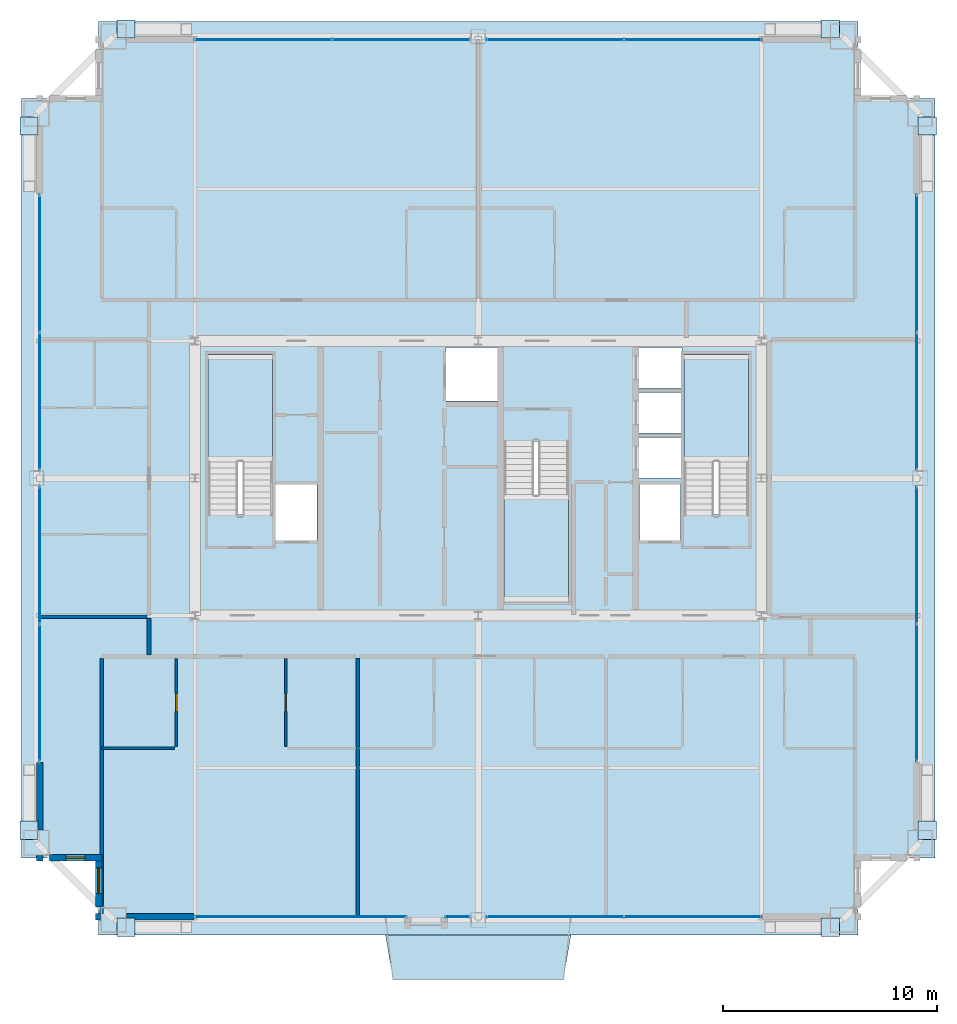
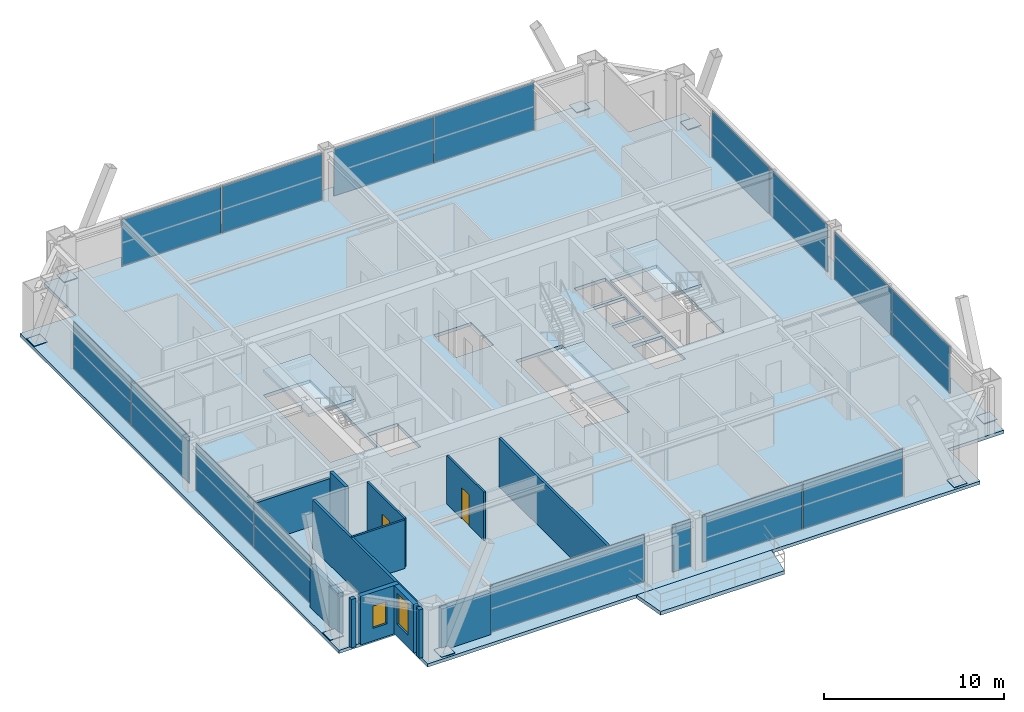
# One storey, part 30 of 35: 24 plates, 13 walls, 5 slabs, 2 doors, 2 windows, 4 openings, 12 elements without a shape of their own.
"""IFC4 building model written with IfcOpenShell, lengths in metres."""

from ifc_helpers import new_model, si_unit, direction, frame, frame_2d, origin, origin_2d, place, context, subcontext, project, spatial, polyline, rectangle, outline, extrude, source, transform, mapped, material, layer, layer_set, type_object, element, fill, aggregate, save


model = new_model("IFC4")

# Units and contexts
model_context = context("Model", 3, precision=1e-05, world=origin(), true_north=direction((0.0, 1.0)))
body_context = subcontext(model_context, "Body", "Model", "MODEL_VIEW")
ifc_project = project(units=[si_unit("LENGTHUNIT", "METRE"), si_unit("AREAUNIT", "SQUARE_METRE"), si_unit("VOLUMEUNIT", "CUBIC_METRE"), si_unit("PLANEANGLEUNIT", "RADIAN"), si_unit("MASSUNIT", "GRAM", prefix="KILO"), si_unit("THERMODYNAMICTEMPERATUREUNIT", "KELVIN"), si_unit("POWERUNIT", "WATT")], contexts=[model_context])

# Site, building, storey
site_placement = place(None, origin())
site = spatial("IfcSite", under=ifc_project, at=site_placement, CompositionType="ELEMENT")
building_placement = place(site_placement, origin())
building = spatial("IfcBuilding", under=site, at=building_placement, Name="Yuzanri Waterfront Tower", CompositionType="ELEMENT")
storey_placement = place(building_placement, frame((0.0, 0.0, 271.60009765625)))
storey = spatial("IfcBuildingStorey", under=building, at=storey_placement, Name="L72", CompositionType="ELEMENT", Elevation=271.60009765625)

# Stair, slab
ifc_material_1 = material(Name="Concrete C40", Category="concrete")
stair_type = type_object("IfcStairType", Name="Concrete C40 Core Dogleg Exit Stair", PredefinedType="HALF_TURN_STAIR", material=ifc_material_1)
stair_1_placement = place(storey_placement, origin())
stair_1 = element("IfcStair", 1, at=stair_1_placement, inside=storey, type_object=stair_type, Name="L72 Smoke-Proof Core Stair ST-01", PredefinedType="HALF_TURN_STAIR")
ifc_material_2 = material(Name="Concrete C40", Category="concrete")
ifc_layer_1 = layer(ifc_material_2, 0.179931640625)
ifc_layer_set_1 = layer_set([ifc_layer_1], Name="Concrete C40")
slab_type_1 = type_object("IfcSlabType", Name="Concrete C40 Stair Half-Landing Slab 180", PredefinedType="LANDING", material=ifc_layer_set_1)
slab_1_placement = place(storey_placement, frame((0.0, 0.0, 1.5498046875)))
slab_1 = element("IfcSlab", 2, at=slab_1_placement, type_object=slab_type_1, Name="ST-01 landing 1", PredefinedType="LANDING", context=body_context, shape_type="SweptSolid", body=[
    extrude(outline(polyline([(27.39990234375, 26.56005859375), (27.39990234375, 31.580078125), (24.39990234375, 31.580078125), (24.39990234375, 26.56005859375), (27.39990234375, 26.56005859375)])), origin(), (0.0, 0.0, 1.0), 0.2001953125),
])
aggregate(stair_1, [slab_1])

stair_2_placement = place(storey_placement, origin())
stair_2 = element("IfcStair", 3, at=stair_2_placement, inside=storey, type_object=stair_type, Name="L72 Smoke-Proof Core Stair ST-02", PredefinedType="HALF_TURN_STAIR")
slab_2_placement = place(storey_placement, frame((0.0, 0.0, 1.5498046875)))
slab_2 = element("IfcSlab", 4, at=slab_2_placement, type_object=slab_type_1, Name="ST-02 landing 1", PredefinedType="LANDING", context=body_context, shape_type="SweptSolid", body=[
    extrude(outline(polyline([(49.60009765625, 26.56005859375), (49.60009765625, 31.580078125), (46.60009765625, 31.580078125), (46.60009765625, 26.56005859375), (49.60009765625, 26.56005859375)])), origin(), (0.0, 0.0, 1.0), 0.2001953125),
])
aggregate(stair_2, [slab_2])

stair_3_placement = place(storey_placement, origin())
stair_3 = element("IfcStair", 5, at=stair_3_placement, inside=storey, type_object=stair_type, Name="L72 Smoke-Proof Core Stair ST-03", PredefinedType="HALF_TURN_STAIR")
slab_3_placement = place(storey_placement, frame((0.0, 0.0, 1.5498046875)))
slab_3 = element("IfcSlab", 6, at=slab_3_placement, type_object=slab_type_1, Name="ST-03 landing 1", PredefinedType="LANDING", context=body_context, shape_type="SweptSolid", body=[
    extrude(outline(polyline([(38.199951171875, 25.0400390625), (38.199951171875, 20.02001953125), (41.199951171875, 20.02001953125), (41.199951171875, 25.0400390625), (38.199951171875, 25.0400390625)])), origin(), (0.0, 0.0, 1.0), 0.2001953125),
])
aggregate(stair_3, [slab_3])

# Slabs
ifc_material_3 = material(Name="Concrete C40", Category="concrete")
ifc_layer_2 = layer(ifc_material_3, 0.25)
ifc_layer_set_2 = layer_set([ifc_layer_2], Name="Concrete C40")
slab_type_2 = type_object("IfcSlabType", Name="Concrete C40 Stepped Gorge Pocket Garden Terrace Slab 250", PredefinedType="FLOOR", material=ifc_layer_set_2)
slab_4_placement = place(storey_placement, frame((0.0, 0.0, -0.25)))
element("IfcSlab", 7, at=slab_4_placement, inside=storey, type_object=slab_type_2, Name="L72 S Cantilevered Engawa Terrace Slab", PredefinedType="FLOOR", context=body_context, shape_type="SweptSolid", body=[
    extrude(outline(polyline([(32.677001953125, 4.5), (41.322998046875, 4.5), (40.972900390625, 2.426025390625), (33.027099609375, 2.426025390625), (32.677001953125, 4.5)])), origin(), (0.0, 0.0, 1.0), 0.25),
])
ifc_material_4 = material(Name="Concrete C40", Category="concrete")
ifc_layer_3 = layer(ifc_material_4, 0.219970703125)
ifc_layer_set_3 = layer_set([ifc_layer_3], Name="Concrete C40")
slab_type_3 = type_object("IfcSlabType", Name="Concrete C40 Tower Typical Structural Floor Slab 220", PredefinedType="FLOOR", material=ifc_layer_set_3)
slab_5_placement = place(storey_placement, frame((0.0, 0.0, -0.22021484375)))
element("IfcSlab", 8, at=slab_5_placement, inside=storey, type_object=slab_type_3, Name="L72 Main Structural Floor Slab", PredefinedType="FLOOR", context=body_context, shape_type="SweptSolid", body=[
    extrude(outline(polyline([(19.300048828125, 4.5), (54.699951171875, 4.5), (54.699951171875, 8.10009765625), (58.300048828125, 8.10009765625), (58.300048828125, 43.5), (54.699951171875, 43.5), (54.699951171875, 47.10009765625), (19.300048828125, 47.10009765625), (19.300048828125, 43.5), (15.699951171875, 43.5), (15.699951171875, 8.10009765625), (19.300048828125, 8.10009765625), (19.300048828125, 4.5)]), holes=[polyline([(27.39990234375, 24.10009765625), (27.39990234375, 31.580078125), (24.39990234375, 31.580078125), (24.39990234375, 24.10009765625), (27.39990234375, 24.10009765625)]), polyline([(49.60009765625, 24.10009765625), (49.60009765625, 31.580078125), (46.60009765625, 31.580078125), (46.60009765625, 24.10009765625), (49.60009765625, 24.10009765625)]), polyline([(38.199951171875, 27.5), (38.199951171875, 20.02001953125), (41.199951171875, 20.02001953125), (41.199951171875, 27.5), (38.199951171875, 27.5)]), polyline([(27.56005859375, 22.89990234375), (29.47998046875, 22.89990234375), (29.47998046875, 25.5), (27.56005859375, 25.5), (27.56005859375, 22.89990234375)]), polyline([(44.52001953125, 22.89990234375), (46.43994140625, 22.89990234375), (46.43994140625, 25.5), (44.52001953125, 25.5), (44.52001953125, 22.89990234375)]), polyline([(35.5, 29.39990234375), (37.89990234375, 29.39990234375), (37.89990234375, 31.89990234375), (35.5, 31.89990234375), (35.5, 29.39990234375)]), polyline([(44.5, 25.800048828125), (46.5, 25.800048828125), (46.5, 27.699951171875), (44.5, 27.699951171875), (44.5, 25.800048828125)]), polyline([(44.5, 27.89990234375), (46.5, 27.89990234375), (46.5, 29.800048828125), (44.5, 29.800048828125), (44.5, 27.89990234375)]), polyline([(44.5, 30.0), (46.5, 30.0), (46.5, 31.89990234375), (44.5, 31.89990234375), (44.5, 30.0)])]), origin(), (0.0, 0.0, 1.0), 0.22021484375),
])

# Plates
ifc_material_5 = material(Name="Steel Q420GJC", Category="steel")
ifc_layer_4 = layer(ifc_material_5, 0.0400390625)
ifc_layer_set_4 = layer_set([ifc_layer_4], Name="Steel Q420GJC")
plate_type_1 = type_object("IfcPlateType", Name="Steel Q420GJC Mega-Brace Gusset and End-Cap Plate 40", PredefinedType="SHEET", material=ifc_layer_set_4)
shared_shape_1 = source(origin(), body_context, "Body", "SweptSolid", [
    extrude(rectangle(XDim=0.85009765625, YDim=0.85009765625, at=origin_2d()), origin(), (0.0, 0.0, 1.0), 0.0400390625),
])
for number, where, z_axis, x_axis, name in (
    (9, (20.580078125, 4.860107421875, 0.159912109375), (0.0, 0.0, 1.0), (1.0, 0.0, 0.0), "L72 Mega-Brace Foot Cap Plate S-L"),
    (10, (53.419921875, 4.860107421875, 0.159912109375), (0.0, 0.0, 1.0), (1.0, 0.0, 0.0), "L72 Mega-Brace Foot Cap Plate S-R"),
    (11, (20.580078125, 46.739990234375, 0.159912109375), (0.0, 0.0, 1.0), (1.0, 0.0, 0.0), "L72 Mega-Brace Foot Cap Plate N-L"),
    (12, (53.419921875, 46.739990234375, 0.159912109375), (0.0, 0.0, 1.0), (1.0, 0.0, 0.0), "L72 Mega-Brace Foot Cap Plate N-R"),
    (13, (16.06005859375, 9.3798828125, 0.159912109375), (0.0, 0.0, 1.0), (1.0, 0.0, 0.0), "L72 Mega-Brace Foot Cap Plate W-L"),
    (14, (16.06005859375, 42.219970703125, 0.159912109375), (0.0, 0.0, 1.0), (1.0, 0.0, 0.0), "L72 Mega-Brace Foot Cap Plate W-R"),
    (15, (57.93994140625, 9.3798828125, 0.159912109375), (0.0, 0.0, 1.0), (1.0, 0.0, 0.0), "L72 Mega-Brace Foot Cap Plate E-L"),
    (16, (57.93994140625, 42.219970703125, 0.159912109375), (0.0, 0.0, 1.0), (1.0, 0.0, 0.0), "L72 Mega-Brace Foot Cap Plate E-R"),
):
    element("IfcPlate", number, at=place(storey_placement, frame(where, z_axis=z_axis, x_axis=x_axis)), inside=storey, type_object=plate_type_1, Name=name, PredefinedType="SHEET", context=body_context, shape_type="MappedRepresentation", body=[
        mapped(shared_shape_1, transform((0.0, 0.0, 0.0), scale=1.0)),
    ])

# Curtain wall, plates
ifc_material_6 = material(Name="Anodized Architectural Bronze", Category="metal")
ifc_layer_5 = layer(ifc_material_6, 0.159912109375)
ifc_layer_set_5 = layer_set([ifc_layer_5], Name="Anodized Architectural Bronze")
curtain_wall_type = type_object("IfcCurtainWallType", Name="Anodized Bronze Mid-Rise Residential Acoustic Unitized Curtain Wall 7200", PredefinedType="NOTDEFINED", material=ifc_layer_set_5)
curtain_wall_1_placement = place(storey_placement, origin())
curtain_wall_1 = element("IfcCurtainWall", 17, at=curtain_wall_1_placement, inside=storey, type_object=curtain_wall_type, Name="L72 Curtain Wall CW-L72-SR", PredefinedType="NOTDEFINED")
ifc_material_7 = material(Name="Triple Low-E Laminated Insulated Glass", Category="glass")
ifc_layer_6 = layer(ifc_material_7, 0.0439453125)
ifc_layer_set_6 = layer_set([ifc_layer_6], Name="Triple Low-E Laminated Insulated Glass")
plate_type_2 = type_object("IfcPlateType", Name="Triple Glazed Acoustic Vision Glass Panel 44", PredefinedType="CURTAIN_PANEL", material=ifc_layer_set_6)
shared_shape_2 = source(origin(), body_context, "Body", "SweptSolid", [
    extrude(rectangle(XDim=6.3701171875, YDim=0.0439453125, at=origin_2d()), origin(), (0.0, 0.0, 1.0), 3.179931640625),
])
plate_1_placement = place(storey_placement, frame((40.574951171875, 5.35009765625, 0.0498046875), z_axis=(0.0, 0.0, 1.0), x_axis=(1.0, 0.0, 0.0)))
plate_1 = element("IfcPlate", 18, at=plate_1_placement, type_object=plate_type_2, Name="CW-L72-SR Vision Glass Panel 01", PredefinedType="CURTAIN_PANEL", context=body_context, shape_type="MappedRepresentation", body=[
    mapped(shared_shape_2, transform((0.0, 0.0, 0.0), scale=1.0)),
])
plate_2_placement = place(storey_placement, frame((47.02490234375, 5.35009765625, 0.0498046875), z_axis=(0.0, 0.0, 1.0), x_axis=(1.0, 0.0, 0.0)))
plate_2 = element("IfcPlate", 19, at=plate_2_placement, type_object=plate_type_2, Name="CW-L72-SR Vision Glass Panel 02", PredefinedType="CURTAIN_PANEL", context=body_context, shape_type="MappedRepresentation", body=[
    mapped(shared_shape_2, transform((0.0, 0.0, 0.0), scale=1.0)),
])
aggregate(curtain_wall_1, [plate_1, plate_2])

curtain_wall_2_placement = place(storey_placement, origin())
curtain_wall_2 = element("IfcCurtainWall", 20, at=curtain_wall_2_placement, inside=storey, type_object=curtain_wall_type, Name="L72 Curtain Wall CW-L72-NL", PredefinedType="NOTDEFINED")
plate_3_placement = place(storey_placement, frame((26.97509765625, 46.25, 0.0498046875), z_axis=(0.0, 0.0, 1.0), x_axis=(1.0, 0.0, 0.0)))
plate_3 = element("IfcPlate", 21, at=plate_3_placement, type_object=plate_type_2, Name="CW-L72-NL Vision Glass Panel 01", PredefinedType="CURTAIN_PANEL", context=body_context, shape_type="MappedRepresentation", body=[
    mapped(shared_shape_2, transform((0.0, 0.0, 0.0), scale=1.0)),
])
plate_4_placement = place(storey_placement, frame((33.425048828125, 46.25, 0.0498046875), z_axis=(0.0, 0.0, 1.0), x_axis=(1.0, 0.0, 0.0)))
plate_4 = element("IfcPlate", 22, at=plate_4_placement, type_object=plate_type_2, Name="CW-L72-NL Vision Glass Panel 02", PredefinedType="CURTAIN_PANEL", context=body_context, shape_type="MappedRepresentation", body=[
    mapped(shared_shape_2, transform((0.0, 0.0, 0.0), scale=1.0)),
])
aggregate(curtain_wall_2, [plate_3, plate_4])

curtain_wall_3_placement = place(storey_placement, origin())
curtain_wall_3 = element("IfcCurtainWall", 23, at=curtain_wall_3_placement, inside=storey, type_object=curtain_wall_type, Name="L72 Curtain Wall CW-L72-NR", PredefinedType="NOTDEFINED")
plate_5_placement = place(storey_placement, frame((40.574951171875, 46.25, 0.0498046875), z_axis=(0.0, 0.0, 1.0), x_axis=(1.0, 0.0, 0.0)))
plate_5 = element("IfcPlate", 24, at=plate_5_placement, type_object=plate_type_2, Name="CW-L72-NR Vision Glass Panel 01", PredefinedType="CURTAIN_PANEL", context=body_context, shape_type="MappedRepresentation", body=[
    mapped(shared_shape_2, transform((0.0, 0.0, 0.0), scale=1.0)),
])
plate_6_placement = place(storey_placement, frame((47.02490234375, 46.25, 0.0498046875), z_axis=(0.0, 0.0, 1.0), x_axis=(1.0, 0.0, 0.0)))
plate_6 = element("IfcPlate", 25, at=plate_6_placement, type_object=plate_type_2, Name="CW-L72-NR Vision Glass Panel 02", PredefinedType="CURTAIN_PANEL", context=body_context, shape_type="MappedRepresentation", body=[
    mapped(shared_shape_2, transform((0.0, 0.0, 0.0), scale=1.0)),
])
aggregate(curtain_wall_3, [plate_5, plate_6])

curtain_wall_4_placement = place(storey_placement, origin())
curtain_wall_4 = element("IfcCurtainWall", 26, at=curtain_wall_4_placement, inside=storey, type_object=curtain_wall_type, Name="L72 Curtain Wall CW-L72-WL", PredefinedType="NOTDEFINED")
plate_7_placement = place(storey_placement, frame((16.550048828125, 15.77490234375, 0.0498046875), z_axis=(0.0, 0.0, 1.0), x_axis=(0.0, 1.0, 0.0)))
plate_7 = element("IfcPlate", 27, at=plate_7_placement, type_object=plate_type_2, Name="CW-L72-WL Vision Glass Panel 01", PredefinedType="CURTAIN_PANEL", context=body_context, shape_type="MappedRepresentation", body=[
    mapped(shared_shape_2, transform((0.0, 0.0, 0.0), scale=1.0)),
])
plate_8_placement = place(storey_placement, frame((16.550048828125, 22.22509765625, 0.0498046875), z_axis=(0.0, 0.0, 1.0), x_axis=(0.0, 1.0, 0.0)))
plate_8 = element("IfcPlate", 28, at=plate_8_placement, type_object=plate_type_2, Name="CW-L72-WL Vision Glass Panel 02", PredefinedType="CURTAIN_PANEL", context=body_context, shape_type="MappedRepresentation", body=[
    mapped(shared_shape_2, transform((0.0, 0.0, 0.0), scale=1.0)),
])
aggregate(curtain_wall_4, [plate_7, plate_8])

curtain_wall_5_placement = place(storey_placement, origin())
curtain_wall_5 = element("IfcCurtainWall", 29, at=curtain_wall_5_placement, inside=storey, type_object=curtain_wall_type, Name="L72 Curtain Wall CW-L72-WR", PredefinedType="NOTDEFINED")
plate_9_placement = place(storey_placement, frame((16.550048828125, 29.375, 0.0498046875), z_axis=(0.0, 0.0, 1.0), x_axis=(0.0, 1.0, 0.0)))
plate_9 = element("IfcPlate", 30, at=plate_9_placement, type_object=plate_type_2, Name="CW-L72-WR Vision Glass Panel 01", PredefinedType="CURTAIN_PANEL", context=body_context, shape_type="MappedRepresentation", body=[
    mapped(shared_shape_2, transform((0.0, 0.0, 0.0), scale=1.0)),
])
plate_10_placement = place(storey_placement, frame((16.550048828125, 35.824951171875, 0.0498046875), z_axis=(0.0, 0.0, 1.0), x_axis=(0.0, 1.0, 0.0)))
plate_10 = element("IfcPlate", 31, at=plate_10_placement, type_object=plate_type_2, Name="CW-L72-WR Vision Glass Panel 02", PredefinedType="CURTAIN_PANEL", context=body_context, shape_type="MappedRepresentation", body=[
    mapped(shared_shape_2, transform((0.0, 0.0, 0.0), scale=1.0)),
])
aggregate(curtain_wall_5, [plate_9, plate_10])

curtain_wall_6_placement = place(storey_placement, origin())
curtain_wall_6 = element("IfcCurtainWall", 32, at=curtain_wall_6_placement, inside=storey, type_object=curtain_wall_type, Name="L72 Curtain Wall CW-L72-EL", PredefinedType="NOTDEFINED")
plate_11_placement = place(storey_placement, frame((57.449951171875, 15.77490234375, 0.0498046875), z_axis=(0.0, 0.0, 1.0), x_axis=(0.0, 1.0, 0.0)))
plate_11 = element("IfcPlate", 33, at=plate_11_placement, type_object=plate_type_2, Name="CW-L72-EL Vision Glass Panel 01", PredefinedType="CURTAIN_PANEL", context=body_context, shape_type="MappedRepresentation", body=[
    mapped(shared_shape_2, transform((0.0, 0.0, 0.0), scale=1.0)),
])
plate_12_placement = place(storey_placement, frame((57.449951171875, 22.22509765625, 0.0498046875), z_axis=(0.0, 0.0, 1.0), x_axis=(0.0, 1.0, 0.0)))
plate_12 = element("IfcPlate", 34, at=plate_12_placement, type_object=plate_type_2, Name="CW-L72-EL Vision Glass Panel 02", PredefinedType="CURTAIN_PANEL", context=body_context, shape_type="MappedRepresentation", body=[
    mapped(shared_shape_2, transform((0.0, 0.0, 0.0), scale=1.0)),
])
aggregate(curtain_wall_6, [plate_11, plate_12])

curtain_wall_7_placement = place(storey_placement, origin())
curtain_wall_7 = element("IfcCurtainWall", 35, at=curtain_wall_7_placement, inside=storey, type_object=curtain_wall_type, Name="L72 Curtain Wall CW-L72-ER", PredefinedType="NOTDEFINED")
plate_13_placement = place(storey_placement, frame((57.449951171875, 29.375, 0.0498046875), z_axis=(0.0, 0.0, 1.0), x_axis=(0.0, 1.0, 0.0)))
plate_13 = element("IfcPlate", 36, at=plate_13_placement, type_object=plate_type_2, Name="CW-L72-ER Vision Glass Panel 01", PredefinedType="CURTAIN_PANEL", context=body_context, shape_type="MappedRepresentation", body=[
    mapped(shared_shape_2, transform((0.0, 0.0, 0.0), scale=1.0)),
])
plate_14_placement = place(storey_placement, frame((57.449951171875, 35.824951171875, 0.0498046875), z_axis=(0.0, 0.0, 1.0), x_axis=(0.0, 1.0, 0.0)))
plate_14 = element("IfcPlate", 37, at=plate_14_placement, type_object=plate_type_2, Name="CW-L72-ER Vision Glass Panel 02", PredefinedType="CURTAIN_PANEL", context=body_context, shape_type="MappedRepresentation", body=[
    mapped(shared_shape_2, transform((0.0, 0.0, 0.0), scale=1.0)),
])
aggregate(curtain_wall_7, [plate_13, plate_14])

# Curtain wall, plate
curtain_wall_8_placement = place(storey_placement, origin())
curtain_wall_8 = element("IfcCurtainWall", 38, at=curtain_wall_8_placement, inside=storey, type_object=curtain_wall_type, Name="L72 Curtain Wall CW-L72-SL1", PredefinedType="NOTDEFINED")
shared_shape_3 = source(origin(), body_context, "Body", "SweptSolid", [
    extrude(rectangle(XDim=9.884033203125, YDim=0.0439453125, at=origin_2d()), origin(), (0.0, 0.0, 1.0), 3.179931640625),
])
plate_15_placement = place(storey_placement, frame((28.73193359375, 5.35009765625, 0.0498046875), z_axis=(0.0, 0.0, 1.0), x_axis=(1.0, 0.0, 0.0)))
plate_15 = element("IfcPlate", 39, at=plate_15_placement, type_object=plate_type_2, Name="CW-L72-SL1 Vision Glass Panel 01", PredefinedType="CURTAIN_PANEL", context=body_context, shape_type="MappedRepresentation", body=[
    mapped(shared_shape_3, transform((0.0, 0.0, 0.0), scale=1.0)),
])
aggregate(curtain_wall_8, [plate_15])

curtain_wall_9_placement = place(storey_placement, origin())
curtain_wall_9 = element("IfcCurtainWall", 40, at=curtain_wall_9_placement, inside=storey, type_object=curtain_wall_type, Name="L72 Curtain Wall CW-L72-SL2", PredefinedType="NOTDEFINED")
shared_shape_4 = source(origin(), body_context, "Body", "SweptSolid", [
    extrude(rectangle(XDim=1.156005859375, YDim=0.0439453125, at=origin_2d()), origin(), (0.0, 0.0, 1.0), 3.179931640625),
])
plate_16_placement = place(storey_placement, frame((36.031982421875, 5.35009765625, 0.0498046875), z_axis=(0.0, 0.0, 1.0), x_axis=(1.0, 0.0, 0.0)))
plate_16 = element("IfcPlate", 41, at=plate_16_placement, type_object=plate_type_2, Name="CW-L72-SL2 Vision Glass Panel 01", PredefinedType="CURTAIN_PANEL", context=body_context, shape_type="MappedRepresentation", body=[
    mapped(shared_shape_4, transform((0.0, 0.0, 0.0), scale=1.0)),
])
aggregate(curtain_wall_9, [plate_16])

# Wall, opening, door
ifc_material_8 = material(Name="Moisture-Resistant Gypsum Stud Wall", Category="gypsum")
ifc_layer_7 = layer(ifc_material_8, 0.1201171875)
ifc_layer_set_7 = layer_set([ifc_layer_7], Name="Moisture-Resistant Gypsum Stud Wall")
wall_type_1 = type_object("IfcWallType", Name="Bathroom and Kitchen Wet Partition 120", PredefinedType="PARTITIONING", material=ifc_layer_set_7)
wall_1_placement = place(storey_placement, frame((22.919921875, 13.280029296875, 0.0), z_axis=(0.0, 0.0, 1.0), x_axis=(0.0, 1.0, 0.0)))
wall_1 = element("IfcWall", 42, at=wall_1_placement, inside=storey, type_object=wall_type_1, Name="L72 Partition UW-L72-HS1-SUB-1-E", PredefinedType="PARTITIONING", context=body_context, shape_type="SweptSolid", body=[
    extrude(rectangle(XDim=4.10986328125, YDim=0.1201171875, at=frame_2d((2.054931640625, 0.0))), origin(), (0.0, 0.0, 1.0), 3.27978515625),
])
opening_1_placement = place(wall_1_placement, frame((1.6298828125, 0.0, 0.0)))
opening_1 = element("IfcOpeningElement", 43, at=opening_1_placement, cuts=wall_1, Name="Opening ID-0850", PredefinedType="OPENING", context=body_context, shape_type="SweptSolid", body=[
    extrude(rectangle(XDim=0.85009765625, YDim=2.10009765625, at=frame_2d((0.425048828125, 1.050048828125))), frame((0.0, 0.074951171875, 0.0), z_axis=(0.0, -1.0, 0.0), x_axis=(1.0, 0.0, 0.0)), (0.0, 0.0, 1.0), 0.14990234375),
])
ifc_material_9 = material(Name="Moisture-Resistant Lacquered Timber", Category="wood")
door_type = type_object("IfcDoorType", Name="En-Suite Bathroom and Kitchen Swing Door 850x2100", OperationType="NOTDEFINED", PredefinedType="DOOR", material=ifc_material_9)
shared_shape_5 = source(origin(), body_context, "Body", "SweptSolid", [
    extrude(rectangle(XDim=0.85009765625, YDim=2.10009765625, at=frame_2d((0.425048828125, 1.050048828125))), frame((0.0, 0.02490234375, 0.0), z_axis=(0.0, -1.0, 0.0), x_axis=(1.0, 0.0, 0.0)), (0.0, 0.0, 1.0), 0.050048828125),
])
door_1_placement = place(opening_1_placement, origin())
door_1 = element("IfcDoor", 44, at=door_1_placement, inside=storey, type_object=door_type, Name="L72 Suite Interior Room Door", OperationType="SINGLE_SWING_RIGHT", OverallHeight=2.10009765625, OverallWidth=0.85009765625, PredefinedType="DOOR", context=body_context, shape_type="MappedRepresentation", body=[
    mapped(shared_shape_5, transform((0.0, 0.0, 0.0), scale=1.0)),
])
fill(opening_1, door_1)

wall_2_placement = place(storey_placement, frame((28.02099609375, 13.280029296875, 0.0), z_axis=(0.0, 0.0, 1.0), x_axis=(0.0, 1.0, 0.0)))
wall_2 = element("IfcWall", 45, at=wall_2_placement, inside=storey, type_object=wall_type_1, Name="L72 Partition UW-L72-HS1-SUB-2-W", PredefinedType="PARTITIONING", context=body_context, shape_type="SweptSolid", body=[
    extrude(rectangle(XDim=4.10986328125, YDim=0.1201171875, at=frame_2d((2.054931640625, 0.0))), origin(), (0.0, 0.0, 1.0), 3.27978515625),
])
opening_2_placement = place(wall_2_placement, frame((1.6298828125, 0.0, 0.0)))
opening_2 = element("IfcOpeningElement", 46, at=opening_2_placement, cuts=wall_2, Name="Opening ID-0850", PredefinedType="OPENING", context=body_context, shape_type="SweptSolid", body=[
    extrude(rectangle(XDim=0.85009765625, YDim=2.10009765625, at=frame_2d((0.425048828125, 1.050048828125))), frame((0.0, 0.074951171875, 0.0), z_axis=(0.0, -1.0, 0.0), x_axis=(1.0, 0.0, 0.0)), (0.0, 0.0, 1.0), 0.14990234375),
])
door_2_placement = place(opening_2_placement, origin())
door_2 = element("IfcDoor", 47, at=door_2_placement, inside=storey, type_object=door_type, Name="L72 Suite Interior Room Door", OperationType="SINGLE_SWING_LEFT", OverallHeight=2.10009765625, OverallWidth=0.85009765625, PredefinedType="DOOR", context=body_context, shape_type="MappedRepresentation", body=[
    mapped(shared_shape_5, transform((0.0, 0.0, 0.0), scale=1.0)),
])
fill(opening_2, door_2)

# Wall, opening, window
ifc_material_10 = material(Name="Honed Chongqing Dark Basalt Stone", Category="masonry")
ifc_layer_8 = layer(ifc_material_10, 0.300048828125)
ifc_layer_set_8 = layer_set([ifc_layer_8], Name="Honed Chongqing Dark Basalt Stone")
wall_type_2 = type_object("IfcWallType", Name="Bronze Rainscreen Insulated Spandrel Portal Wall 300", PredefinedType="SOLIDWALL", material=ifc_layer_set_8)
wall_3_placement = place(storey_placement, frame((17.0, 8.10009765625, 0.0), z_axis=(0.0, 0.0, 1.0), x_axis=(1.0, 0.0, 0.0)))
wall_3 = element("IfcWall", 48, at=wall_3_placement, inside=storey, type_object=wall_type_2, Name="L72 Notched Corner Masonry Wall SW-X", PredefinedType="SOLIDWALL", context=body_context, shape_type="SweptSolid", body=[
    extrude(rectangle(XDim=2.449951171875, YDim=0.300048828125, at=frame_2d((1.22509765625, 0.0))), origin(), (0.0, 0.0, 1.0), 3.27978515625),
])
opening_3_placement = place(wall_3_placement, frame((0.77490234375, 0.0, 0.85009765625)))
opening_3 = element("IfcOpeningElement", 49, at=opening_3_placement, cuts=wall_3, Name="Opening WN-05", PredefinedType="OPENING", context=body_context, shape_type="SweptSolid", body=[
    extrude(rectangle(XDim=0.89990234375, YDim=1.5, at=frame_2d((0.449951171875, 0.75))), frame((0.0, 0.1650390625, 0.0), z_axis=(0.0, -1.0, 0.0), x_axis=(1.0, 0.0, 0.0)), (0.0, 0.0, 1.0), 0.329833984375),
])
ifc_material_11 = material(Name="Double-Silver Low-E Insulated Glass", Category="glass")
window_type_1 = type_object("IfcWindowType", Name="Anodized Bronze Service and Stairwell Smoke-Vent Window 900x1500", PartitioningType="SINGLE_PANEL", PredefinedType="WINDOW", material=ifc_material_11)
shared_shape_6 = source(origin(), body_context, "Body", "SweptSolid", [
    extrude(rectangle(XDim=0.89990234375, YDim=1.5, at=frame_2d((0.449951171875, 0.75))), frame((0.0, 0.030029296875, 0.0), z_axis=(0.0, -1.0, 0.0), x_axis=(1.0, 0.0, 0.0)), (0.0, 0.0, 1.0), 0.06005859375),
])
window_1_placement = place(opening_3_placement, origin())
window_1 = element("IfcWindow", 50, at=window_1_placement, inside=storey, type_object=window_type_1, Name="L72 Notched Corner Window SW-X", OverallHeight=1.5, OverallWidth=0.89990234375, PartitioningType="SINGLE_PANEL", PredefinedType="WINDOW", context=body_context, shape_type="MappedRepresentation", body=[
    mapped(shared_shape_6, transform((0.0, 0.0, 0.0), scale=1.0)),
])
fill(opening_3, window_1)

wall_4_placement = place(storey_placement, frame((19.300048828125, 8.25, 0.0), z_axis=(0.0, 0.0, 1.0), x_axis=(0.0, -1.0, 0.0)))
wall_4 = element("IfcWall", 51, at=wall_4_placement, inside=storey, type_object=wall_type_2, Name="L72 Notched Corner Masonry Wall SW-Y", PredefinedType="SOLIDWALL", context=body_context, shape_type="SweptSolid", body=[
    extrude(rectangle(XDim=2.449951171875, YDim=0.300048828125, at=frame_2d((1.22509765625, 0.0))), origin(), (0.0, 0.0, 1.0), 3.27978515625),
])
opening_4_placement = place(wall_4_placement, frame((0.625, 0.0, 0.85009765625)))
opening_4 = element("IfcOpeningElement", 52, at=opening_4_placement, cuts=wall_4, Name="Opening WN-02", PredefinedType="OPENING", context=body_context, shape_type="SweptSolid", body=[
    extrude(rectangle(XDim=1.199951171875, YDim=2.10009765625, at=frame_2d((0.60009765625, 1.050048828125))), frame((0.0, 0.1650390625, 0.0), z_axis=(0.0, -1.0, 0.0), x_axis=(1.0, 0.0, 0.0)), (0.0, 0.0, 1.0), 0.329833984375),
])
ifc_material_12 = material(Name="Double-Silver Low-E Insulated Glass", Category="glass")
window_type_2 = type_object("IfcWindowType", Name="Anodized Bronze Notched Corner Deep-Set Slot Window 1200x2100", PartitioningType="SINGLE_PANEL", PredefinedType="WINDOW", material=ifc_material_12)
shared_shape_7 = source(origin(), body_context, "Body", "SweptSolid", [
    extrude(rectangle(XDim=1.199951171875, YDim=2.10009765625, at=frame_2d((0.60009765625, 1.050048828125))), frame((0.0, 0.030029296875, 0.0), z_axis=(0.0, -1.0, 0.0), x_axis=(1.0, 0.0, 0.0)), (0.0, 0.0, 1.0), 0.06005859375),
])
window_2_placement = place(opening_4_placement, origin())
window_2 = element("IfcWindow", 53, at=window_2_placement, inside=storey, type_object=window_type_2, Name="L72 Notched Corner Window SW-Y", OverallHeight=2.10009765625, OverallWidth=1.199951171875, PartitioningType="SINGLE_PANEL", PredefinedType="WINDOW", context=body_context, shape_type="MappedRepresentation", body=[
    mapped(shared_shape_7, transform((0.0, 0.0, 0.0), scale=1.0)),
])
fill(opening_4, window_2)

# Walls
shared_shape_8 = source(origin(), body_context, "Body", "SweptSolid", [
    extrude(rectangle(XDim=0.25, YDim=0.300048828125, at=frame_2d((0.125, 0.0))), origin(), (0.0, 0.0, 1.0), 3.27978515625),
])
for number, where, z_axis, x_axis, name in (
    (54, (19.14990234375, 5.35009765625, 0.0), (0.0, 0.0, 1.0), (1.0, 0.0, 0.0), "L72 Corner Column Shoulder Return CSW"),
    (55, (16.550048828125, 7.949951171875, 0.0), (0.0, 0.0, 1.0), (0.0, 1.0, 0.0), "L72 Corner Column Shoulder Return CWS"),
):
    element("IfcWall", number, at=place(storey_placement, frame(where, z_axis=z_axis, x_axis=x_axis)), inside=storey, type_object=wall_type_2, Name=name, PredefinedType="SOLIDWALL", context=body_context, shape_type="MappedRepresentation", body=[
        mapped(shared_shape_8, transform((0.0, 0.0, 0.0), scale=1.0)),
    ])
shared_shape_9 = source(origin(), body_context, "Body", "SweptSolid", [
    extrude(rectangle(XDim=3.14990234375, YDim=0.300048828125, at=frame_2d((1.574951171875, 0.0))), origin(), (0.0, 0.0, 1.0), 2.8349609375),
])
wall_5_placement = place(storey_placement, frame((20.60009765625, 5.35009765625, 0.0), z_axis=(0.0, 0.0, 1.0), x_axis=(1.0, 0.0, 0.0)))
element("IfcWall", 56, at=wall_5_placement, inside=storey, type_object=wall_type_2, Name="L72 S Left Braced Masonry Shoulder", PredefinedType="SOLIDWALL", context=body_context, shape_type="MappedRepresentation", body=[
    mapped(shared_shape_9, transform((0.0, 0.0, 0.0), scale=1.0)),
])
shared_shape_10 = source(origin(), body_context, "Body", "SweptSolid", [
    extrude(rectangle(XDim=3.150146484375, YDim=0.300048828125, at=frame_2d((1.5751953125, 0.0))), origin(), (0.0, 0.0, 1.0), 2.8349609375),
])
wall_6_placement = place(storey_placement, frame((16.550048828125, 9.39990234375, 0.0), z_axis=(0.0, 0.0, 1.0), x_axis=(0.0, 1.0, 0.0)))
element("IfcWall", 57, at=wall_6_placement, inside=storey, type_object=wall_type_2, Name="L72 W Left Braced Masonry Shoulder", PredefinedType="SOLIDWALL", context=body_context, shape_type="MappedRepresentation", body=[
    mapped(shared_shape_10, transform((0.0, 0.0, 0.0), scale=1.0)),
])
ifc_material_13 = material(Name="Gypsum Fireboard Acoustic Stud Wall", Category="gypsum")
ifc_layer_9 = layer(ifc_material_13, 0.159912109375)
ifc_layer_set_9 = layer_set([ifc_layer_9], Name="Gypsum Fireboard Acoustic Stud Wall")
wall_type_3 = type_object("IfcWallType", Name="Acoustic Suite Demising Partition 160", PredefinedType="PARTITIONING", material=ifc_layer_set_9)
shared_shape_11 = source(origin(), body_context, "Body", "SweptSolid", [
    extrude(rectangle(XDim=12.039794921875, YDim=0.159912109375, at=frame_2d((6.02001953125, 0.0))), origin(), (0.0, 0.0, 1.0), 3.27978515625),
])
wall_7_placement = place(storey_placement, frame((31.381103515625, 5.35009765625, 0.0), z_axis=(0.0, 0.0, 1.0), x_axis=(0.0, 1.0, 0.0)))
element("IfcWall", 58, at=wall_7_placement, inside=storey, type_object=wall_type_3, Name="L72-HS1 Party Wall", PredefinedType="PARTITIONING", context=body_context, shape_type="MappedRepresentation", body=[
    mapped(shared_shape_11, transform((0.0, 0.0, 0.0), scale=1.0)),
])
shared_shape_12 = source(origin(), body_context, "Body", "SweptSolid", [
    extrude(rectangle(XDim=3.400146484375, YDim=0.1201171875, at=frame_2d((1.7001953125, 0.0))), origin(), (0.0, 0.0, 1.0), 3.27978515625),
])
wall_8_placement = place(storey_placement, frame((19.43994140625, 13.199951171875, 0.0), z_axis=(0.0, 0.0, 1.0), x_axis=(1.0, 0.0, 0.0)))
element("IfcWall", 59, at=wall_8_placement, inside=storey, type_object=wall_type_1, Name="L72 Partition UW-L72-HS1-SUB-1-S", PredefinedType="PARTITIONING", context=body_context, shape_type="MappedRepresentation", body=[
    mapped(shared_shape_12, transform((0.0, 0.0, 0.0), scale=1.0)),
])
ifc_material_14 = material(Name="Autoclaved Aerated Concrete Blockwork", Category="masonry")
ifc_layer_10 = layer(ifc_material_14, 0.199951171875)
ifc_layer_set_10 = layer_set([ifc_layer_10], Name="Autoclaved Aerated Concrete Blockwork")
wall_type_4 = type_object("IfcWallType", Name="Corridor and Unit Party Fire Wall 200", PredefinedType="PARTITIONING", material=ifc_layer_set_10)
shared_shape_13 = source(origin(), body_context, "Body", "SweptSolid", [
    extrude(rectangle(XDim=1.699951171875, YDim=0.199951171875, at=frame_2d((0.85009765625, 0.0))), origin(), (0.0, 0.0, 1.0), 3.27978515625),
])
wall_9_placement = place(storey_placement, frame((21.64990234375, 17.550048828125, 0.0), z_axis=(0.0, 0.0, 1.0), x_axis=(0.0, 1.0, 0.0)))
element("IfcWall", 60, at=wall_9_placement, inside=storey, type_object=wall_type_4, Name="L72 South Foyer West End Wall", PredefinedType="PARTITIONING", context=body_context, shape_type="MappedRepresentation", body=[
    mapped(shared_shape_13, transform((0.0, 0.0, 0.0), scale=1.0)),
])
shared_shape_14 = source(origin(), body_context, "Body", "SweptSolid", [
    extrude(rectangle(XDim=11.889892578125, YDim=0.159912109375, at=frame_2d((5.94482421875, 0.0))), origin(), (0.0, 0.0, 1.0), 3.27978515625),
])
wall_10_placement = place(storey_placement, frame((19.449951171875, 5.5, 0.0), z_axis=(0.0, 0.0, 1.0), x_axis=(0.0, 1.0, 0.0)))
element("IfcWall", 61, at=wall_10_placement, inside=storey, type_object=wall_type_3, Name="L72 South Band West End Wall", PredefinedType="PARTITIONING", context=body_context, shape_type="MappedRepresentation", body=[
    mapped(shared_shape_14, transform((0.0, 0.0, 0.0), scale=1.0)),
])
shared_shape_15 = source(origin(), body_context, "Body", "SweptSolid", [
    extrude(rectangle(XDim=5.0, YDim=0.159912109375, at=frame_2d((2.5, 0.0))), origin(), (0.0, 0.0, 1.0), 2.824951171875),
])
wall_11_placement = place(storey_placement, frame((16.550048828125, 19.330078125, 0.0), z_axis=(0.0, 0.0, 1.0), x_axis=(1.0, 0.0, 0.0)))
element("IfcWall", 62, at=wall_11_placement, inside=storey, type_object=wall_type_3, Name="L72-HW1 Wing South End Wall", PredefinedType="PARTITIONING", context=body_context, shape_type="MappedRepresentation", body=[
    mapped(shared_shape_15, transform((0.0, 0.0, 0.0), scale=1.0)),
])

save(model, "model.ifc")
